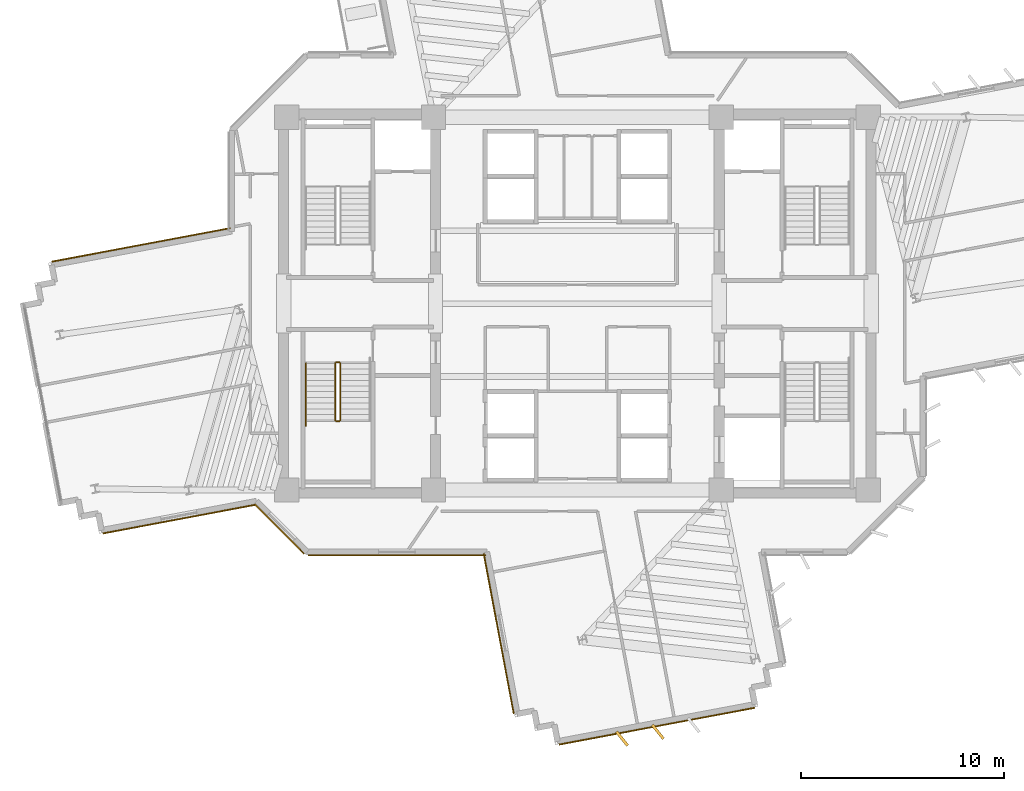
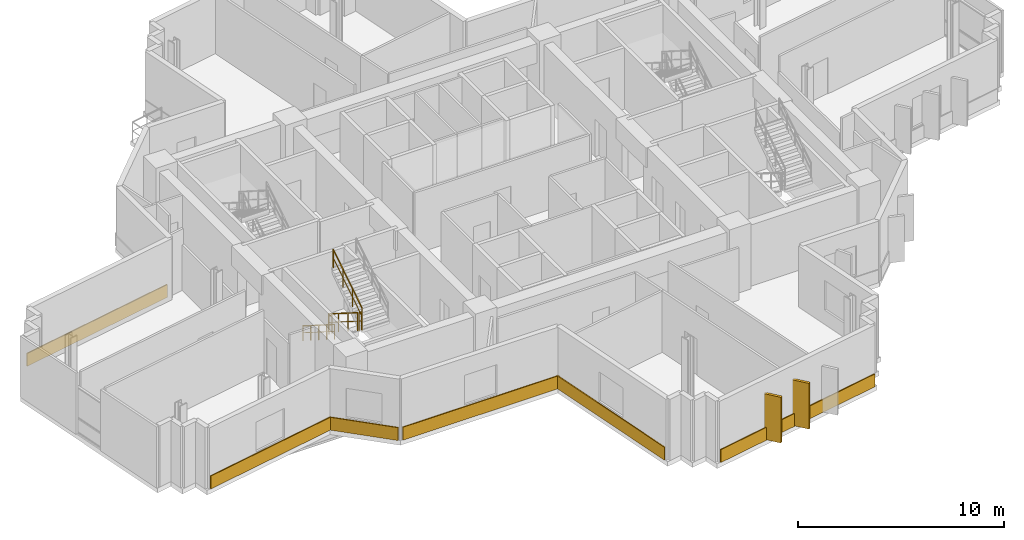
# One storey, part 13 of 16: 8 coverings, 5 railings.
"""IFC4 building model written with IfcOpenShell, lengths in metres."""

import ifcopenshell
import ifcopenshell.guid

model = None  # the IFC model being written
_history = None  # IfcOwnerHistory: only IFC2X3 demands one
_inside = {}  # id of a spatial element -> (the spatial element, [elements in it])
_under = {}  # id of a project, library or spatial element -> (it, [spatial elements below it])
_declared = {}  # id of a project -> (the project, [libraries it declares])
_typed = {}  # id of a type object -> (the type object, [elements of that type])
_made_of = {}  # id of a material, layer set ... -> (it, [elements and type objects made of it])


def new_model(schema):
    """Start an empty IFC model of exactly this schema.

    Asked for "IFC4X3", IfcOpenShell would pick the latest addendum, in which some entities
    have other attributes; the version numbers below select the first issue.
    IFC2X3 requires an IfcOwnerHistory on every rooted entity: one is made here for all.
    """
    global model, _history
    if schema == "IFC4X3":
        model = ifcopenshell.file(schema_version=(4, 3, 0, 0))
    else:
        model = ifcopenshell.file(schema=schema)
    _inside.clear()
    _under.clear()
    _declared.clear()
    _typed.clear()
    _made_of.clear()
    _history = None
    if model.schema == "IFC2X3":
        org = make("IfcOrganization", Name="unknown")
        user = make(
            "IfcPersonAndOrganization",
            ThePerson=make("IfcPerson", FamilyName="unknown"),
            TheOrganization=org,
        )
        app = make(
            "IfcApplication",
            ApplicationDeveloper=org,
            Version="unknown",
            ApplicationFullName="unknown",
            ApplicationIdentifier="unknown",
        )
        _history = make(
            "IfcOwnerHistory",
            OwningUser=user,
            OwningApplication=app,
            ChangeAction="ADDED",
            CreationDate=0,
        )
    return model


def make(cls, **values):
    """One entity of the class cls with the attributes given. An attribute that is None is left unset."""
    return model.create_entity(
        cls, **{name: value for name, value in values.items() if value is not None}
    )


def rooted(cls, **values):
    """An entity with a GlobalId (a new one), such as an element, a storey or a relation."""
    return make(cls, GlobalId=ifcopenshell.guid.new(), OwnerHistory=_history, **values)


def si_unit(unit_type, name, prefix=None):
    """IfcSIUnit, for example si_unit("LENGTHUNIT", "METRE", prefix="MILLI")."""
    return make("IfcSIUnit", UnitType=unit_type, Prefix=prefix, Name=name)


def assignment(units):
    """IfcUnitAssignment: the units of a project."""
    return None if units is None else make("IfcUnitAssignment", Units=units)


def point(xyz):
    """IfcCartesianPoint."""
    return None if xyz is None else make("IfcCartesianPoint", Coordinates=xyz)


def direction(xyz):
    """IfcDirection."""
    return None if xyz is None else make("IfcDirection", DirectionRatios=xyz)


def frame(location, z_axis=None, x_axis=None):
    """IfcAxis2Placement3D, a coordinate frame: its origin and axes. An axis left out is left unset."""
    return make(
        "IfcAxis2Placement3D",
        Location=point(location),
        Axis=direction(z_axis),
        RefDirection=direction(x_axis),
    )


def frame_2d(location, x_axis=None):
    """IfcAxis2Placement2D, a coordinate frame in the plane: its origin and x axis."""
    return make(
        "IfcAxis2Placement2D", Location=point(location), RefDirection=direction(x_axis)
    )


def origin():
    """The frame at (0, 0, 0) with its axes left unset."""
    return frame((0.0, 0.0, 0.0))


def origin_2d():
    """The frame at (0, 0) in the plane with its x axis left unset."""
    return frame_2d((0.0, 0.0))


def place(relative_to, where):
    """IfcLocalPlacement: puts the frame where relative to a parent placement (None: the world)."""
    return make(
        "IfcLocalPlacement", PlacementRelTo=relative_to, RelativePlacement=where
    )


def context(
    kind, dimensions, precision=None, world=None, true_north=None, identifier=None
):
    """IfcGeometricRepresentationContext, for example the 3D "Model" context."""
    return make(
        "IfcGeometricRepresentationContext",
        ContextIdentifier=identifier,
        ContextType=kind,
        CoordinateSpaceDimension=dimensions,
        Precision=precision,
        WorldCoordinateSystem=world,
        TrueNorth=true_north,
    )


def subcontext(parent, identifier, kind, view, scale=None):
    """IfcGeometricRepresentationSubContext, for example "Body" below "Model"."""
    return make(
        "IfcGeometricRepresentationSubContext",
        ContextIdentifier=identifier,
        ContextType=kind,
        ParentContext=parent,
        TargetScale=scale,
        TargetView=view,
    )


def project(units=None, contexts=None):
    """IfcProject with its units and contexts."""
    return rooted(
        "IfcProject",
        Name="project",
        RepresentationContexts=contexts,
        UnitsInContext=assignment(units),
    )


def spatial(cls, under=None, at=None, **own):
    """A site, building, storey or space (cls), placed at a placement, below another one or the project."""
    s = rooted(cls, ObjectPlacement=at, **own)
    if under is not None:
        _under.setdefault(under.id(), (under, []))[1].append(s)
    return s


def profile(cls, at=None, kind="AREA", **sizes):
    """A parametric profile (cls). Its sizes go by their IFC names, for example OverallWidth=200.0."""
    return make(cls, ProfileType=kind, Position=at, **sizes)


def rectangle(**sizes):
    """IfcRectangleProfileDef."""
    return profile("IfcRectangleProfileDef", **sizes)


def extrude(swept, where, along, depth):
    """IfcExtrudedAreaSolid: the profile swept, set in the frame where, extruded along a direction by depth."""
    return make(
        "IfcExtrudedAreaSolid",
        SweptArea=swept,
        Position=where,
        ExtrudedDirection=direction(along),
        Depth=depth,
    )


def shape(context_of_items, identifier, shape_type, items):
    """IfcShapeRepresentation: the items that make up one representation, for example the "Body"."""
    return make(
        "IfcShapeRepresentation",
        ContextOfItems=context_of_items,
        RepresentationIdentifier=identifier,
        RepresentationType=shape_type,
        Items=items,
    )


def source(mapping_origin, context_of_items, identifier, shape_type, items):
    """IfcRepresentationMap: a shape defined once, which mapped items show again and again."""
    return make(
        "IfcRepresentationMap",
        MappingOrigin=mapping_origin,
        MappedRepresentation=shape(context_of_items, identifier, shape_type, items),
    )


def transform(
    local_origin,
    x_axis=None,
    y_axis=None,
    z_axis=None,
    scale=None,
    scale2=None,
    scale3=None,
    uniform=True,
):
    """IfcCartesianTransformationOperator3D, or its non-uniform kind. x_axis, y_axis, z_axis: its Axis1, 2, 3."""
    if uniform:
        return make(
            "IfcCartesianTransformationOperator3D",
            Axis1=direction(x_axis),
            Axis2=direction(y_axis),
            LocalOrigin=point(local_origin),
            Scale=scale,
            Axis3=direction(z_axis),
        )
    return make(
        "IfcCartesianTransformationOperator3DnonUniform",
        Axis1=direction(x_axis),
        Axis2=direction(y_axis),
        LocalOrigin=point(local_origin),
        Scale=scale,
        Axis3=direction(z_axis),
        Scale2=scale2,
        Scale3=scale3,
    )


def mapped(mapping_source, mapping_target):
    """IfcMappedItem: shows the shape of a source again, moved by a transform."""
    return make(
        "IfcMappedItem", MappingSource=mapping_source, MappingTarget=mapping_target
    )


def material(Name=None, Category=None):
    """IfcMaterial."""
    return make("IfcMaterial", Name=Name, Category=Category)


def layer(
    of_material, thickness, ventilated=None, Name=None, Category=None, Priority=None
):
    """IfcMaterialLayer: one layer of a wall or slab, of a material (None: an air gap)."""
    return make(
        "IfcMaterialLayer",
        Material=of_material,
        LayerThickness=thickness,
        IsVentilated=ventilated,
        Name=Name,
        Category=Category,
        Priority=Priority,
    )


def layer_set(layers, Name=None):
    """IfcMaterialLayerSet."""
    return make("IfcMaterialLayerSet", MaterialLayers=layers, LayerSetName=Name)


def made_of(thing, what):
    """Note that an element or type object is made of a material, layer set ...; save() writes the relation."""
    if what is not None:
        _made_of.setdefault(what.id(), (what, []))[1].append(thing)
    return thing


def type_object(cls, material=None, **own):
    """A type object (cls), such as IfcWallType, which elements share."""
    return made_of(rooted(cls, **own), material)


def element(
    cls,
    number,
    at=None,
    inside=None,
    cuts=None,
    type_object=None,
    material=None,
    context=None,
    identifier="Body",
    shape_type=None,
    held_by="IfcProductDefinitionShape",
    body=None,
    shapes=None,
    **own,
):
    """One element of the class cls, such as IfcWall. Its Tag is "e" and its number.

    at: its placement. inside: the storey or other place that contains it. cuts: it is an
    opening in that element (IfcRelVoidsElement). A single representation is given by context,
    identifier, shape_type and body (its items); several are given by shapes. held_by: the class
    of the entity that holds the representations. save() writes the other relations.
    """
    e = rooted(cls, Tag="e%d" % number, ObjectPlacement=at, **own)
    if body is not None:
        shapes = [shape(context, identifier, shape_type, body)]
    if shapes is not None:
        e.Representation = make(held_by, Representations=shapes)
    if inside is not None:
        _inside.setdefault(inside.id(), (inside, []))[1].append(e)
    if cuts is not None:
        rooted(
            "IfcRelVoidsElement", RelatingBuildingElement=cuts, RelatedOpeningElement=e
        )
    if type_object is not None:
        _typed.setdefault(type_object.id(), (type_object, []))[1].append(e)
    return made_of(e, material)


def aggregate(whole, parts):
    """IfcRelAggregates: a whole, such as a stair, and the parts it consists of."""
    return rooted("IfcRelAggregates", RelatingObject=whole, RelatedObjects=parts)


def save(model, path):
    """Write the relations noted so far, then the file.

    IfcRelAggregates (storeys below a building ...), IfcRelContainedInSpatialStructure (elements
    in a storey), IfcRelDefinesByType, IfcRelAssociatesMaterial and IfcRelDeclares: one each for
    every whole, place, type object, material and project.
    """
    for whole, parts in _under.values():
        aggregate(whole, parts)
    for where, things in _inside.values():
        rooted(
            "IfcRelContainedInSpatialStructure",
            RelatedElements=things,
            RelatingStructure=where,
        )
    for kind, things in _typed.values():
        rooted("IfcRelDefinesByType", RelatedObjects=things, RelatingType=kind)
    for what, things in _made_of.values():
        rooted("IfcRelAssociatesMaterial", RelatedObjects=things, RelatingMaterial=what)
    for by, libraries in _declared.values():
        rooted("IfcRelDeclares", RelatingContext=by, RelatedDefinitions=libraries)
    model.write(path)


model = new_model("IFC4")

# Units and contexts
model_context = context("Model", 3, precision=1e-05, world=origin(), true_north=direction((0.0, 1.0)))
body_context = subcontext(model_context, "Body", "Model", "MODEL_VIEW")
ifc_project = project(units=[si_unit("LENGTHUNIT", "METRE"), si_unit("AREAUNIT", "SQUARE_METRE"), si_unit("VOLUMEUNIT", "CUBIC_METRE"), si_unit("PLANEANGLEUNIT", "RADIAN"), si_unit("MASSUNIT", "GRAM", prefix="KILO")], contexts=[model_context])

# Site, building, storey
site_placement = place(None, origin())
site = spatial("IfcSite", under=ifc_project, at=site_placement, CompositionType="ELEMENT")
building_placement = place(site_placement, origin())
building = spatial("IfcBuilding", under=site, at=building_placement, Name="Zahravan Cultural Tower", CompositionType="ELEMENT")
storey_placement = place(building_placement, frame((0.0, 0.0, 155.10009765625)))
storey = spatial("IfcBuildingStorey", under=building, at=storey_placement, Name="L35", CompositionType="ELEMENT", Elevation=155.10009765625)

# Railings
ifc_material_1 = material(Name="Steel ASTM A572 Grade 50", Category="steel")
railing_type_1 = type_object("IfcRailingType", Name="RL-STAIR-GRD1150", PredefinedType="BALUSTRADE", material=ifc_material_1)
railing_1_placement = place(storey_placement, frame((24.050048828125, 24.050048828125, 0.17724609375)))
element("IfcRailing", 1, at=railing_1_placement, inside=storey, type_object=railing_type_1, Name="L35 ST-W2 stair guard 1", PredefinedType="BALUSTRADE", context=body_context, shape_type="SweptSolid", body=[
    extrude(rectangle(XDim=0.05, YDim=0.05, at=origin_2d()), frame((0.0, 0.0, 1.0751953125), z_axis=(0.0, -0.844908973607, 0.534910110503), x_axis=(1.0, 0.0, 0.0)), (0.0, 0.0, 1.0), 3.31396484375),
    extrude(rectangle(XDim=0.032, YDim=0.032, at=origin_2d()), frame((0.0, 0.0, 0.572021484375), z_axis=(0.0, -0.844908973607, 0.534910110503), x_axis=(1.0, 0.0, 0.0)), (0.0, 0.0, 1.0), 3.31396484375),
    extrude(rectangle(XDim=0.04, YDim=0.04, at=origin_2d()), origin(), (0.0, 0.0, 1.0), 1.10009765625),
    extrude(rectangle(XDim=0.04, YDim=0.04, at=origin_2d()), frame((0.0, -0.933349609375, 0.5908203125)), (0.0, 0.0, 1.0), 1.10009765625),
    extrude(rectangle(XDim=0.04, YDim=0.04, at=origin_2d()), frame((0.0, -1.86669921875, 1.181884765625)), (0.0, 0.0, 1.0), 1.10009765625),
    extrude(rectangle(XDim=0.04, YDim=0.04, at=origin_2d()), frame((0.0, -2.800048828125, 1.772705078125)), (0.0, 0.0, 1.0), 1.10009765625),
])
railing_2_placement = place(storey_placement, frame((24.10009765625, 21.199951171875, 1.949951171875)))
element("IfcRailing", 2, at=railing_2_placement, inside=storey, type_object=railing_type_1, Name="L35 ST-W2 stair guard 2", PredefinedType="BALUSTRADE", context=body_context, shape_type="SweptSolid", body=[
    extrude(rectangle(XDim=0.05, YDim=0.05, at=origin_2d()), frame((0.0, 0.0, 1.0751953125), z_axis=(1.0, 0.0, 0.0), x_axis=(0.0, 1.0, 0.0)), (0.0, 0.0, 1.0), 0.14990234375),
    extrude(rectangle(XDim=0.032, YDim=0.032, at=origin_2d()), frame((0.0, 0.0, 0.572021484375), z_axis=(1.0, 0.0, 0.0), x_axis=(0.0, 1.0, 0.0)), (0.0, 0.0, 1.0), 0.14990234375),
    extrude(rectangle(XDim=0.04, YDim=0.04, at=origin_2d()), origin(), (0.0, 0.0, 1.0), 1.10009765625),
    extrude(rectangle(XDim=0.04, YDim=0.04, at=origin_2d()), frame((0.14990234375, 0.0, 0.0)), (0.0, 0.0, 1.0), 1.10009765625),
])
railing_3_placement = place(storey_placement, frame((24.300048828125, 21.25, 2.127197265625)))
element("IfcRailing", 3, at=railing_3_placement, inside=storey, type_object=railing_type_1, Name="L35 ST-W2 stair guard 3", PredefinedType="BALUSTRADE", context=body_context, shape_type="SweptSolid", body=[
    extrude(rectangle(XDim=0.05, YDim=0.05, at=origin_2d()), frame((0.0, 0.0, 1.0751953125), z_axis=(0.0, 0.844908973607, 0.534910110503), x_axis=(-1.0, 0.0, 0.0)), (0.0, 0.0, 1.0), 3.31396484375),
    extrude(rectangle(XDim=0.032, YDim=0.032, at=origin_2d()), frame((0.0, 0.0, 0.572021484375), z_axis=(0.0, 0.844908973607, 0.534910110503), x_axis=(-1.0, 0.0, 0.0)), (0.0, 0.0, 1.0), 3.31396484375),
    extrude(rectangle(XDim=0.04, YDim=0.04, at=origin_2d()), origin(), (0.0, 0.0, 1.0), 1.10009765625),
    extrude(rectangle(XDim=0.04, YDim=0.04, at=origin_2d()), frame((0.0, 0.933349609375, 0.5908203125)), (0.0, 0.0, 1.0), 1.10009765625),
    extrude(rectangle(XDim=0.04, YDim=0.04, at=origin_2d()), frame((0.0, 1.86669921875, 1.181884765625)), (0.0, 0.0, 1.0), 1.10009765625),
    extrude(rectangle(XDim=0.04, YDim=0.04, at=origin_2d()), frame((0.0, 2.800048828125, 1.772705078125)), (0.0, 0.0, 1.0), 1.10009765625),
])
railing_4_placement = place(storey_placement, frame((24.10009765625, 24.10009765625, 0.0)))
element("IfcRailing", 4, at=railing_4_placement, inside=storey, type_object=railing_type_1, Name="L35 ST-W2 stair guard 4", PredefinedType="BALUSTRADE", context=body_context, shape_type="SweptSolid", body=[
    extrude(rectangle(XDim=0.05, YDim=0.05, at=origin_2d()), frame((0.0, 0.0, 1.0751953125), z_axis=(1.0, 0.0, 0.0), x_axis=(0.0, 1.0, 0.0)), (0.0, 0.0, 1.0), 0.14990234375),
    extrude(rectangle(XDim=0.032, YDim=0.032, at=origin_2d()), frame((0.0, 0.0, 0.572021484375), z_axis=(1.0, 0.0, 0.0), x_axis=(0.0, 1.0, 0.0)), (0.0, 0.0, 1.0), 0.14990234375),
    extrude(rectangle(XDim=0.04, YDim=0.04, at=origin_2d()), origin(), (0.0, 0.0, 1.0), 1.10009765625),
    extrude(rectangle(XDim=0.04, YDim=0.04, at=origin_2d()), frame((0.14990234375, 0.0, 0.0)), (0.0, 0.0, 1.0), 1.10009765625),
])
railing_type_2 = type_object("IfcRailingType", Name="RL-STAIR-HR900", PredefinedType="HANDRAIL", material=ifc_material_1)
railing_5_placement = place(storey_placement, frame((22.60009765625, 24.050048828125, 0.17724609375)))
element("IfcRailing", 5, at=railing_5_placement, inside=storey, type_object=railing_type_2, Name="L35 ST-W2 stair handrail 1", PredefinedType="HANDRAIL", context=body_context, shape_type="SweptSolid", body=[
    extrude(rectangle(XDim=0.05, YDim=0.05, at=origin_2d()), frame((0.0, 0.0, 0.875), z_axis=(0.0, -0.844913916606, 0.534902302785), x_axis=(1.0, 0.0, 0.0)), (0.0, 0.0, 1.0), 3.6455078125),
    extrude(rectangle(XDim=0.032, YDim=0.032, at=origin_2d()), frame((0.0, 0.0, 0.468017578125), z_axis=(0.0, -0.844913916606, 0.534902302785), x_axis=(1.0, 0.0, 0.0)), (0.0, 0.0, 1.0), 3.6455078125),
    extrude(rectangle(XDim=0.04, YDim=0.04, at=origin_2d()), origin(), (0.0, 0.0, 1.0), 0.89990234375),
    extrude(rectangle(XDim=0.04, YDim=0.04, at=origin_2d()), frame((0.0, -0.77001953125, 0.487548828125)), (0.0, 0.0, 1.0), 0.89990234375),
    extrude(rectangle(XDim=0.04, YDim=0.04, at=origin_2d()), frame((0.0, -1.5400390625, 0.97509765625)), (0.0, 0.0, 1.0), 0.89990234375),
    extrude(rectangle(XDim=0.04, YDim=0.04, at=origin_2d()), frame((0.0, -2.31005859375, 1.46240234375)), (0.0, 0.0, 1.0), 0.89990234375),
    extrude(rectangle(XDim=0.04, YDim=0.04, at=origin_2d()), frame((0.0, -3.080078125, 1.949951171875)), (0.0, 0.0, 1.0), 0.89990234375),
])

# Coverings
ifc_material_2 = material(Name="Terracotta ceramic cladding", Category="masonry")
ifc_layer = layer(ifc_material_2, 0.06005859375)
ifc_layer_set = layer_set([ifc_layer], Name="Terracotta ceramic cladding")
covering_type = type_object("IfcCoveringType", Name="COV-CLAD-TC60", PredefinedType="CLADDING", material=ifc_layer_set)
shared_shape_1 = source(origin(), body_context, "Body", "SweptSolid", [
    extrude(rectangle(XDim=9.820068359375, YDim=0.06005859375, at=origin_2d()), origin(), (0.0, 0.0, 1.0), 0.760009765625),
])
covering_1_placement = place(storey_placement, frame((39.9189453125, 6.139892578125, 0.02001953125), z_axis=(0.0, 0.0, 1.0), x_axis=(-0.982806687355, -0.184637524056, 0.0)))
element("IfcCovering", 6, at=covering_1_placement, inside=storey, type_object=covering_type, Name="L35 Terracotta Spandrel Cladding 19", PredefinedType="CLADDING", context=body_context, shape_type="MappedRepresentation", body=[
    mapped(shared_shape_1, transform((0.0, 0.0, 0.0), x_axis=(1.0, 0.0, 0.0), y_axis=(0.0, 1.0, 0.0), z_axis=(0.0, 0.0, 1.0), scale=1.0)),
])
shared_shape_2 = source(origin(), body_context, "Body", "SweptSolid", [
    extrude(rectangle(XDim=0.8798828125, YDim=0.139892578125, at=origin_2d()), origin(), (0.0, 0.0, 1.0), 2.699951171875),
])
for number, where, z_axis, x_axis, name in (
    (7, (39.9716796875, 5.859619140625, 0.0498046875), (0.0, 0.0, 1.0), (0.624425048846, -0.781084731878, 0.0), "L35 Herringbone Terracotta Fin 15"),
    (8, (38.202392578125, 5.52734375, 0.0498046875), (0.0, 0.0, 1.0), (0.624425048846, -0.781084731878, 0.0), "L35 Herringbone Terracotta Fin 16"),
):
    element("IfcCovering", number, at=place(storey_placement, frame(where, z_axis=z_axis, x_axis=x_axis)), inside=storey, type_object=covering_type, Name=name, PredefinedType="CLADDING", context=body_context, shape_type="MappedRepresentation", body=[
        mapped(shared_shape_2, transform((0.0, 0.0, 0.0), x_axis=(1.0, 0.0, 0.0), y_axis=(0.0, 1.0, 0.0), z_axis=(0.0, 0.0, 1.0), scale=1.0)),
    ])
shared_shape_3 = source(origin(), body_context, "Body", "SweptSolid", [
    extrude(rectangle(XDim=7.683349609375, YDim=0.06005859375, at=origin_2d()), origin(), (0.0, 0.0, 1.0), 0.760009765625),
])
covering_2_placement = place(storey_placement, frame((16.357666015625, 16.365478515625, 0.02001953125), z_axis=(0.0, 0.0, 1.0), x_axis=(-0.982806687355, -0.184637524056, 0.0)))
element("IfcCovering", 9, at=covering_2_placement, inside=storey, type_object=covering_type, Name="L35 Terracotta Spandrel Cladding 27", PredefinedType="CLADDING", context=body_context, shape_type="MappedRepresentation", body=[
    mapped(shared_shape_3, transform((0.0, 0.0, 0.0), x_axis=(1.0, 0.0, 0.0), y_axis=(0.0, 1.0, 0.0), z_axis=(0.0, 0.0, 1.0), scale=1.0)),
])
shared_shape_4 = source(origin(), body_context, "Body", "SweptSolid", [
    extrude(rectangle(XDim=8.952880859375, YDim=0.06005859375, at=origin_2d()), origin(), (0.0, 0.0, 1.0), 0.760009765625),
])
covering_3_placement = place(storey_placement, frame((14.4609375, 29.89794921875, 0.02001953125), z_axis=(0.0, 0.0, 1.0), x_axis=(0.982806687355, 0.184637524056, 0.0)))
element("IfcCovering", 10, at=covering_3_placement, inside=storey, type_object=covering_type, Name="L35 Terracotta Spandrel Cladding 36", PredefinedType="CLADDING", context=body_context, shape_type="MappedRepresentation", body=[
    mapped(shared_shape_4, transform((0.0, 0.0, 0.0), x_axis=(1.0, 0.0, 0.0), y_axis=(0.0, 1.0, 0.0), z_axis=(0.0, 0.0, 1.0), scale=1.0)),
])
shared_shape_5 = source(origin(), body_context, "Body", "SweptSolid", [
    extrude(rectangle(XDim=8.03662109375, YDim=0.06005859375, at=origin_2d()), origin(), (0.0, 0.0, 1.0), 0.760009765625),
])
covering_4_placement = place(storey_placement, frame((32.11572265625, 10.711181640625, 0.02001953125), z_axis=(0.0, 0.0, 1.0), x_axis=(-0.184637524056, 0.982806687355, 0.0)))
element("IfcCovering", 11, at=covering_4_placement, inside=storey, type_object=covering_type, Name="L35 Terracotta Spandrel Cladding 24", PredefinedType="CLADDING", context=body_context, shape_type="MappedRepresentation", body=[
    mapped(shared_shape_5, transform((0.0, 0.0, 0.0), x_axis=(1.0, 0.0, 0.0), y_axis=(0.0, 1.0, 0.0), z_axis=(0.0, 0.0, 1.0), scale=1.0)),
])
shared_shape_6 = source(origin(), body_context, "Body", "SweptSolid", [
    extrude(rectangle(XDim=8.768798828125, YDim=0.06005859375, at=origin_2d()), origin(), (0.0, 0.0, 1.0), 0.760009765625),
])
covering_5_placement = place(storey_placement, frame((27.09228515625, 14.574951171875, 0.02001953125), z_axis=(0.0, 0.0, 1.0), x_axis=(-1.0, 0.0, 0.0)))
element("IfcCovering", 12, at=covering_5_placement, inside=storey, type_object=covering_type, Name="L35 Terracotta Spandrel Cladding 25", PredefinedType="CLADDING", context=body_context, shape_type="MappedRepresentation", body=[
    mapped(shared_shape_6, transform((0.0, 0.0, 0.0), x_axis=(1.0, 0.0, 0.0), y_axis=(0.0, 1.0, 0.0), z_axis=(0.0, 0.0, 1.0), scale=1.0)),
])
shared_shape_7 = source(origin(), body_context, "Body", "SweptSolid", [
    extrude(rectangle(XDim=3.444091796875, YDim=0.06005859375, at=origin_2d()), origin(), (0.0, 0.0, 1.0), 0.760009765625),
])
covering_6_placement = place(storey_placement, frame((21.288330078125, 15.87646484375, 0.02001953125), z_axis=(0.0, 0.0, 1.0), x_axis=(-0.707106781187, 0.707106781187, 0.0)))
element("IfcCovering", 13, at=covering_6_placement, inside=storey, type_object=covering_type, Name="L35 Terracotta Spandrel Cladding 26", PredefinedType="CLADDING", context=body_context, shape_type="MappedRepresentation", body=[
    mapped(shared_shape_7, transform((0.0, 0.0, 0.0), x_axis=(1.0, 0.0, 0.0), y_axis=(0.0, 1.0, 0.0), z_axis=(0.0, 0.0, 1.0), scale=1.0)),
])

save(model, "model.ifc")
